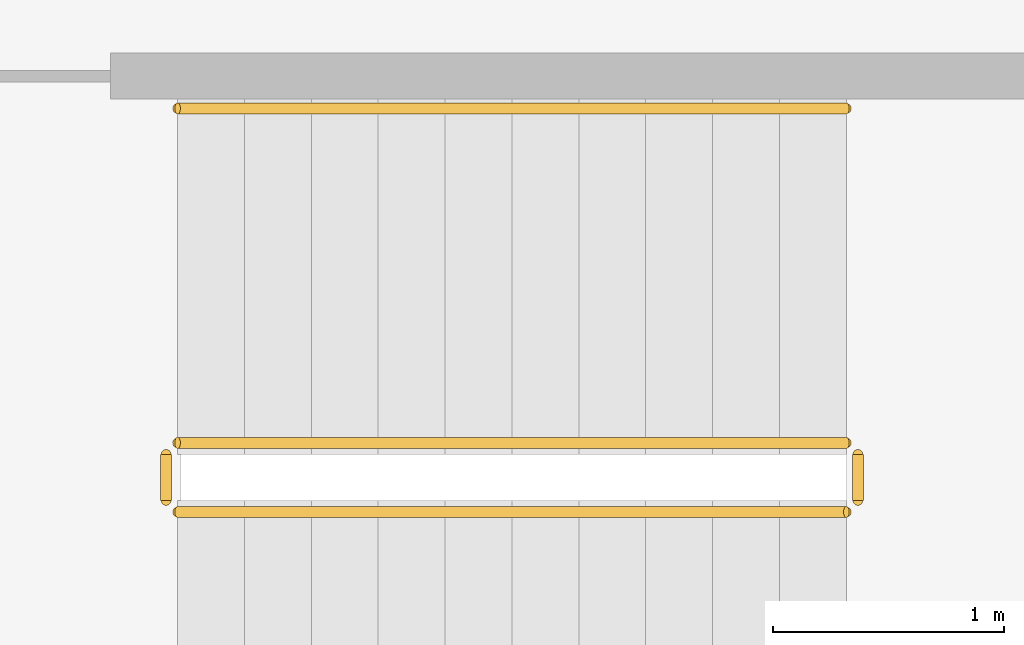
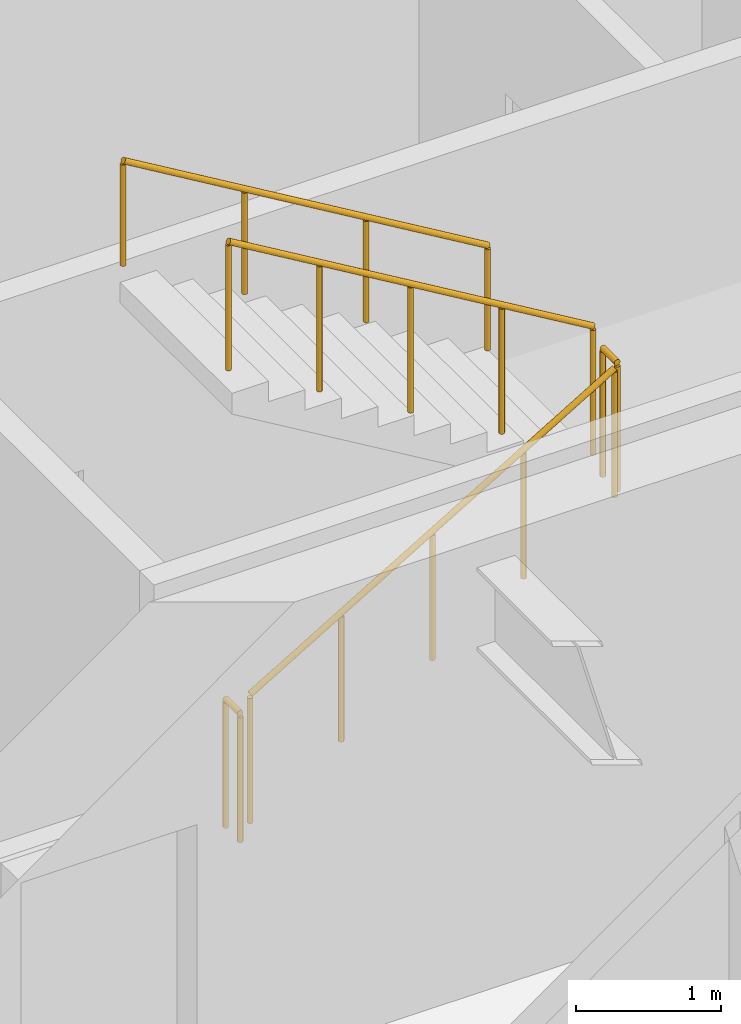
# One storey, part 22 of 23: 5 railings.
"""IFC4 building model written with IfcOpenShell, lengths in metres."""

import ifcopenshell
import ifcopenshell.guid

model = None  # the IFC model being written
_history = None  # IfcOwnerHistory: only IFC2X3 demands one
_inside = {}  # id of a spatial element -> (the spatial element, [elements in it])
_under = {}  # id of a project, library or spatial element -> (it, [spatial elements below it])
_declared = {}  # id of a project -> (the project, [libraries it declares])
_typed = {}  # id of a type object -> (the type object, [elements of that type])
_made_of = {}  # id of a material, layer set ... -> (it, [elements and type objects made of it])


def new_model(schema):
    """Start an empty IFC model of exactly this schema.

    Asked for "IFC4X3", IfcOpenShell would pick the latest addendum, in which some entities
    have other attributes; the version numbers below select the first issue.
    IFC2X3 requires an IfcOwnerHistory on every rooted entity: one is made here for all.
    """
    global model, _history
    if schema == "IFC4X3":
        model = ifcopenshell.file(schema_version=(4, 3, 0, 0))
    else:
        model = ifcopenshell.file(schema=schema)
    _inside.clear()
    _under.clear()
    _declared.clear()
    _typed.clear()
    _made_of.clear()
    _history = None
    if model.schema == "IFC2X3":
        org = make("IfcOrganization", Name="unknown")
        user = make(
            "IfcPersonAndOrganization",
            ThePerson=make("IfcPerson", FamilyName="unknown"),
            TheOrganization=org,
        )
        app = make(
            "IfcApplication",
            ApplicationDeveloper=org,
            Version="unknown",
            ApplicationFullName="unknown",
            ApplicationIdentifier="unknown",
        )
        _history = make(
            "IfcOwnerHistory",
            OwningUser=user,
            OwningApplication=app,
            ChangeAction="ADDED",
            CreationDate=0,
        )
    return model


def make(cls, **values):
    """One entity of the class cls with the attributes given. An attribute that is None is left unset."""
    return model.create_entity(
        cls, **{name: value for name, value in values.items() if value is not None}
    )


def rooted(cls, **values):
    """An entity with a GlobalId (a new one), such as an element, a storey or a relation."""
    return make(cls, GlobalId=ifcopenshell.guid.new(), OwnerHistory=_history, **values)


def si_unit(unit_type, name, prefix=None):
    """IfcSIUnit, for example si_unit("LENGTHUNIT", "METRE", prefix="MILLI")."""
    return make("IfcSIUnit", UnitType=unit_type, Prefix=prefix, Name=name)


def assignment(units):
    """IfcUnitAssignment: the units of a project."""
    return None if units is None else make("IfcUnitAssignment", Units=units)


def point(xyz):
    """IfcCartesianPoint."""
    return None if xyz is None else make("IfcCartesianPoint", Coordinates=xyz)


def direction(xyz):
    """IfcDirection."""
    return None if xyz is None else make("IfcDirection", DirectionRatios=xyz)


def frame(location, z_axis=None, x_axis=None):
    """IfcAxis2Placement3D, a coordinate frame: its origin and axes. An axis left out is left unset."""
    return make(
        "IfcAxis2Placement3D",
        Location=point(location),
        Axis=direction(z_axis),
        RefDirection=direction(x_axis),
    )


def frame_2d(location, x_axis=None):
    """IfcAxis2Placement2D, a coordinate frame in the plane: its origin and x axis."""
    return make(
        "IfcAxis2Placement2D", Location=point(location), RefDirection=direction(x_axis)
    )


def origin():
    """The frame at (0, 0, 0) with its axes left unset."""
    return frame((0.0, 0.0, 0.0))


def origin_2d():
    """The frame at (0, 0) in the plane with its x axis left unset."""
    return frame_2d((0.0, 0.0))


def place(relative_to, where):
    """IfcLocalPlacement: puts the frame where relative to a parent placement (None: the world)."""
    return make(
        "IfcLocalPlacement", PlacementRelTo=relative_to, RelativePlacement=where
    )


def context(
    kind, dimensions, precision=None, world=None, true_north=None, identifier=None
):
    """IfcGeometricRepresentationContext, for example the 3D "Model" context."""
    return make(
        "IfcGeometricRepresentationContext",
        ContextIdentifier=identifier,
        ContextType=kind,
        CoordinateSpaceDimension=dimensions,
        Precision=precision,
        WorldCoordinateSystem=world,
        TrueNorth=true_north,
    )


def subcontext(parent, identifier, kind, view, scale=None):
    """IfcGeometricRepresentationSubContext, for example "Body" below "Model"."""
    return make(
        "IfcGeometricRepresentationSubContext",
        ContextIdentifier=identifier,
        ContextType=kind,
        ParentContext=parent,
        TargetScale=scale,
        TargetView=view,
    )


def project(units=None, contexts=None):
    """IfcProject with its units and contexts."""
    return rooted(
        "IfcProject",
        Name="project",
        RepresentationContexts=contexts,
        UnitsInContext=assignment(units),
    )


def spatial(cls, under=None, at=None, **own):
    """A site, building, storey or space (cls), placed at a placement, below another one or the project."""
    s = rooted(cls, ObjectPlacement=at, **own)
    if under is not None:
        _under.setdefault(under.id(), (under, []))[1].append(s)
    return s


def profile(cls, at=None, kind="AREA", **sizes):
    """A parametric profile (cls). Its sizes go by their IFC names, for example OverallWidth=200.0."""
    return make(cls, ProfileType=kind, Position=at, **sizes)


def circle(**sizes):
    """IfcCircleProfileDef."""
    return profile("IfcCircleProfileDef", **sizes)


def extrude(swept, where, along, depth):
    """IfcExtrudedAreaSolid: the profile swept, set in the frame where, extruded along a direction by depth."""
    return make(
        "IfcExtrudedAreaSolid",
        SweptArea=swept,
        Position=where,
        ExtrudedDirection=direction(along),
        Depth=depth,
    )


def shape(context_of_items, identifier, shape_type, items):
    """IfcShapeRepresentation: the items that make up one representation, for example the "Body"."""
    return make(
        "IfcShapeRepresentation",
        ContextOfItems=context_of_items,
        RepresentationIdentifier=identifier,
        RepresentationType=shape_type,
        Items=items,
    )


def material(Name=None, Category=None):
    """IfcMaterial."""
    return make("IfcMaterial", Name=Name, Category=Category)


def made_of(thing, what):
    """Note that an element or type object is made of a material, layer set ...; save() writes the relation."""
    if what is not None:
        _made_of.setdefault(what.id(), (what, []))[1].append(thing)
    return thing


def type_object(cls, material=None, **own):
    """A type object (cls), such as IfcWallType, which elements share."""
    return made_of(rooted(cls, **own), material)


def element(
    cls,
    number,
    at=None,
    inside=None,
    cuts=None,
    type_object=None,
    material=None,
    context=None,
    identifier="Body",
    shape_type=None,
    held_by="IfcProductDefinitionShape",
    body=None,
    shapes=None,
    **own,
):
    """One element of the class cls, such as IfcWall. Its Tag is "e" and its number.

    at: its placement. inside: the storey or other place that contains it. cuts: it is an
    opening in that element (IfcRelVoidsElement). A single representation is given by context,
    identifier, shape_type and body (its items); several are given by shapes. held_by: the class
    of the entity that holds the representations. save() writes the other relations.
    """
    e = rooted(cls, Tag="e%d" % number, ObjectPlacement=at, **own)
    if body is not None:
        shapes = [shape(context, identifier, shape_type, body)]
    if shapes is not None:
        e.Representation = make(held_by, Representations=shapes)
    if inside is not None:
        _inside.setdefault(inside.id(), (inside, []))[1].append(e)
    if cuts is not None:
        rooted(
            "IfcRelVoidsElement", RelatingBuildingElement=cuts, RelatedOpeningElement=e
        )
    if type_object is not None:
        _typed.setdefault(type_object.id(), (type_object, []))[1].append(e)
    return made_of(e, material)


def aggregate(whole, parts):
    """IfcRelAggregates: a whole, such as a stair, and the parts it consists of."""
    return rooted("IfcRelAggregates", RelatingObject=whole, RelatedObjects=parts)


def save(model, path):
    """Write the relations noted so far, then the file.

    IfcRelAggregates (storeys below a building ...), IfcRelContainedInSpatialStructure (elements
    in a storey), IfcRelDefinesByType, IfcRelAssociatesMaterial and IfcRelDeclares: one each for
    every whole, place, type object, material and project.
    """
    for whole, parts in _under.values():
        aggregate(whole, parts)
    for where, things in _inside.values():
        rooted(
            "IfcRelContainedInSpatialStructure",
            RelatedElements=things,
            RelatingStructure=where,
        )
    for kind, things in _typed.values():
        rooted("IfcRelDefinesByType", RelatedObjects=things, RelatingType=kind)
    for what, things in _made_of.values():
        rooted("IfcRelAssociatesMaterial", RelatedObjects=things, RelatingMaterial=what)
    for by, libraries in _declared.values():
        rooted("IfcRelDeclares", RelatingContext=by, RelatedDefinitions=libraries)
    model.write(path)


model = new_model("IFC4")

# Units and contexts
model_context = context("Model", 3, precision=1e-05, world=origin(), true_north=direction((0.0, 1.0)))
body_context = subcontext(model_context, "Body", "Model", "MODEL_VIEW")
ifc_project = project(units=[si_unit("LENGTHUNIT", "METRE"), si_unit("AREAUNIT", "SQUARE_METRE"), si_unit("VOLUMEUNIT", "CUBIC_METRE"), si_unit("PLANEANGLEUNIT", "RADIAN"), si_unit("MASSUNIT", "GRAM", prefix="KILO")], contexts=[model_context])

# Site, building, storey
site_placement = place(None, origin())
site = spatial("IfcSite", under=ifc_project, at=site_placement, CompositionType="ELEMENT")
building_placement = place(site_placement, origin())
building = spatial("IfcBuilding", under=site, at=building_placement, Name="Putna Gate Headquarters", CompositionType="ELEMENT")
storey_placement = place(building_placement, frame((0.0, 0.0, 221.39990234375)))
storey = spatial("IfcBuildingStorey", under=building, at=storey_placement, Name="L55", CompositionType="ELEMENT", Elevation=221.39990234375)

# Railings
ifc_material_1 = material(Name="Powder-coated steel stair guardrail", Category="steel")
railing_type_1 = type_object("IfcRailingType", Name="RAIL-STAIR-GUARD-1100", PredefinedType="GUARDRAIL", material=ifc_material_1)
railing_1_placement = place(storey_placement, frame((57.89990234375, 21.10009765625, 0.1728515625)))
element("IfcRailing", 1, at=railing_1_placement, inside=storey, type_object=railing_type_1, Name="L55 ST2 stair guard 1", PredefinedType="GUARDRAIL", context=body_context, shape_type="SweptSolid", body=[
    extrude(circle(Radius=0.02392578125, at=origin_2d()), frame((0.0, 0.0, 1.076171875), z_axis=(0.859160404282, 0.0, 0.51170636083), x_axis=(0.0, 1.0, 0.0)), (0.0, 0.0, 1.0), 3.37548828125),
    extrude(circle(Radius=0.02099609375, at=origin_2d()), origin(), (0.0, 0.0, 1.0), 1.052001953125),
    extrude(circle(Radius=0.02099609375, at=origin_2d()), frame((0.72509765625, 0.0, 0.431884765625)), (0.0, 0.0, 1.0), 1.052001953125),
    extrude(circle(Radius=0.02099609375, at=origin_2d()), frame((1.4501953125, 0.0, 0.86376953125)), (0.0, 0.0, 1.0), 1.052001953125),
    extrude(circle(Radius=0.02099609375, at=origin_2d()), frame((2.175048828125, 0.0, 1.29541015625)), (0.0, 0.0, 1.0), 1.052001953125),
    extrude(circle(Radius=0.02099609375, at=origin_2d()), frame((2.900146484375, 0.0, 1.727294921875)), (0.0, 0.0, 1.0), 1.052001953125),
])
railing_2_placement = place(storey_placement, frame((60.85009765625, 21.14990234375, 1.900146484375)))
element("IfcRailing", 2, at=railing_2_placement, inside=storey, type_object=railing_type_1, Name="L55 ST2 stair guard 2", PredefinedType="GUARDRAIL", context=body_context, shape_type="SweptSolid", body=[
    extrude(circle(Radius=0.02392578125, at=origin_2d()), frame((0.0, 0.0, 1.076171875), z_axis=(0.0, 1.0, 0.0), x_axis=(-1.0, 0.0, 0.0)), (0.0, 0.0, 1.0), 0.2001953125),
    extrude(circle(Radius=0.02099609375, at=origin_2d()), origin(), (0.0, 0.0, 1.0), 1.052001953125),
    extrude(circle(Radius=0.02099609375, at=origin_2d()), frame((0.0, 0.2001953125, 0.0)), (0.0, 0.0, 1.0), 1.052001953125),
])
railing_3_placement = place(storey_placement, frame((60.800048828125, 21.39990234375, 2.07275390625)))
element("IfcRailing", 3, at=railing_3_placement, inside=storey, type_object=railing_type_1, Name="L55 ST2 stair guard 3", PredefinedType="GUARDRAIL", context=body_context, shape_type="SweptSolid", body=[
    extrude(circle(Radius=0.02392578125, at=origin_2d()), frame((0.0, 0.0, 1.076171875), z_axis=(-0.859160404282, 0.0, 0.51170636083), x_axis=(0.0, -1.0, 0.0)), (0.0, 0.0, 1.0), 3.37548828125),
    extrude(circle(Radius=0.02099609375, at=origin_2d()), origin(), (0.0, 0.0, 1.0), 1.052001953125),
    extrude(circle(Radius=0.02099609375, at=origin_2d()), frame((-0.72509765625, 0.0, 0.431884765625)), (0.0, 0.0, 1.0), 1.052001953125),
    extrude(circle(Radius=0.02099609375, at=origin_2d()), frame((-1.4501953125, 0.0, 0.86376953125)), (0.0, 0.0, 1.0), 1.052001953125),
    extrude(circle(Radius=0.02099609375, at=origin_2d()), frame((-2.175048828125, 0.0, 1.29541015625)), (0.0, 0.0, 1.0), 1.052001953125),
    extrude(circle(Radius=0.02099609375, at=origin_2d()), frame((-2.900146484375, 0.0, 1.727294921875)), (0.0, 0.0, 1.0), 1.052001953125),
])
railing_4_placement = place(storey_placement, frame((57.85009765625, 21.14990234375, 0.0)))
element("IfcRailing", 4, at=railing_4_placement, inside=storey, type_object=railing_type_1, Name="L55 ST2 stair guard 4", PredefinedType="GUARDRAIL", context=body_context, shape_type="SweptSolid", body=[
    extrude(circle(Radius=0.02392578125, at=origin_2d()), frame((0.0, 0.0, 1.076171875), z_axis=(0.0, 1.0, 0.0), x_axis=(-1.0, 0.0, 0.0)), (0.0, 0.0, 1.0), 0.2001953125),
    extrude(circle(Radius=0.02099609375, at=origin_2d()), origin(), (0.0, 0.0, 1.0), 1.052001953125),
    extrude(circle(Radius=0.02099609375, at=origin_2d()), frame((0.0, 0.2001953125, 0.0)), (0.0, 0.0, 1.0), 1.052001953125),
])
ifc_material_2 = material(Name="Brushed stainless steel handrail", Category="steel")
railing_type_2 = type_object("IfcRailingType", Name="RAIL-STAIR-HAND-900", PredefinedType="HANDRAIL", material=ifc_material_2)
railing_5_placement = place(storey_placement, frame((60.800048828125, 22.85009765625, 2.07275390625)))
element("IfcRailing", 5, at=railing_5_placement, inside=storey, type_object=railing_type_2, Name="L55 ST2 stair handrail 2", PredefinedType="HANDRAIL", context=body_context, shape_type="SweptSolid", body=[
    extrude(circle(Radius=0.02392578125, at=origin_2d()), frame((0.0, 0.0, 0.8759765625), z_axis=(-0.859160404282, 0.0, 0.51170636083), x_axis=(0.0, -1.0, 0.0)), (0.0, 0.0, 1.0), 3.37548828125),
    extrude(circle(Radius=0.02099609375, at=origin_2d()), origin(), (0.0, 0.0, 1.0), 0.851806640625),
    extrude(circle(Radius=0.02099609375, at=origin_2d()), frame((-0.966796875, 0.0, 0.57568359375)), (0.0, 0.0, 1.0), 0.851806640625),
    extrude(circle(Radius=0.02099609375, at=origin_2d()), frame((-1.933349609375, 0.0, 1.151611328125)), (0.0, 0.0, 1.0), 0.851806640625),
    extrude(circle(Radius=0.02099609375, at=origin_2d()), frame((-2.900146484375, 0.0, 1.727294921875)), (0.0, 0.0, 1.0), 0.851806640625),
])

save(model, "model.ifc")
